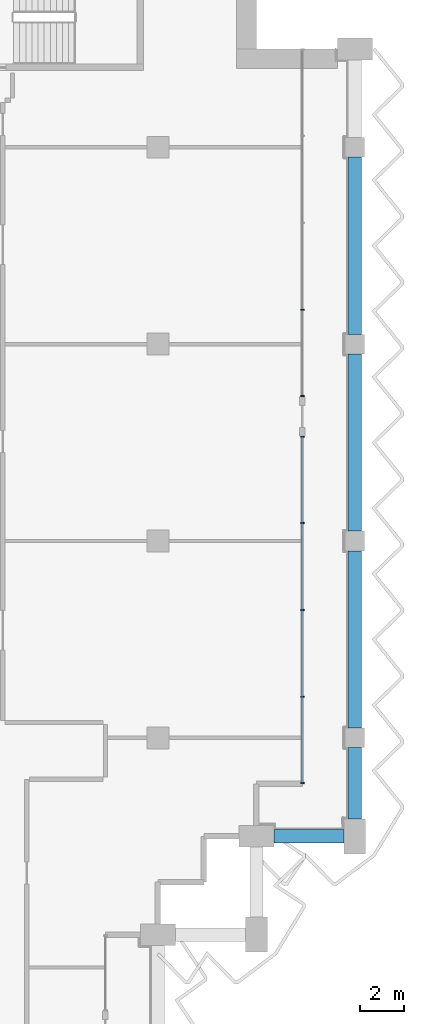
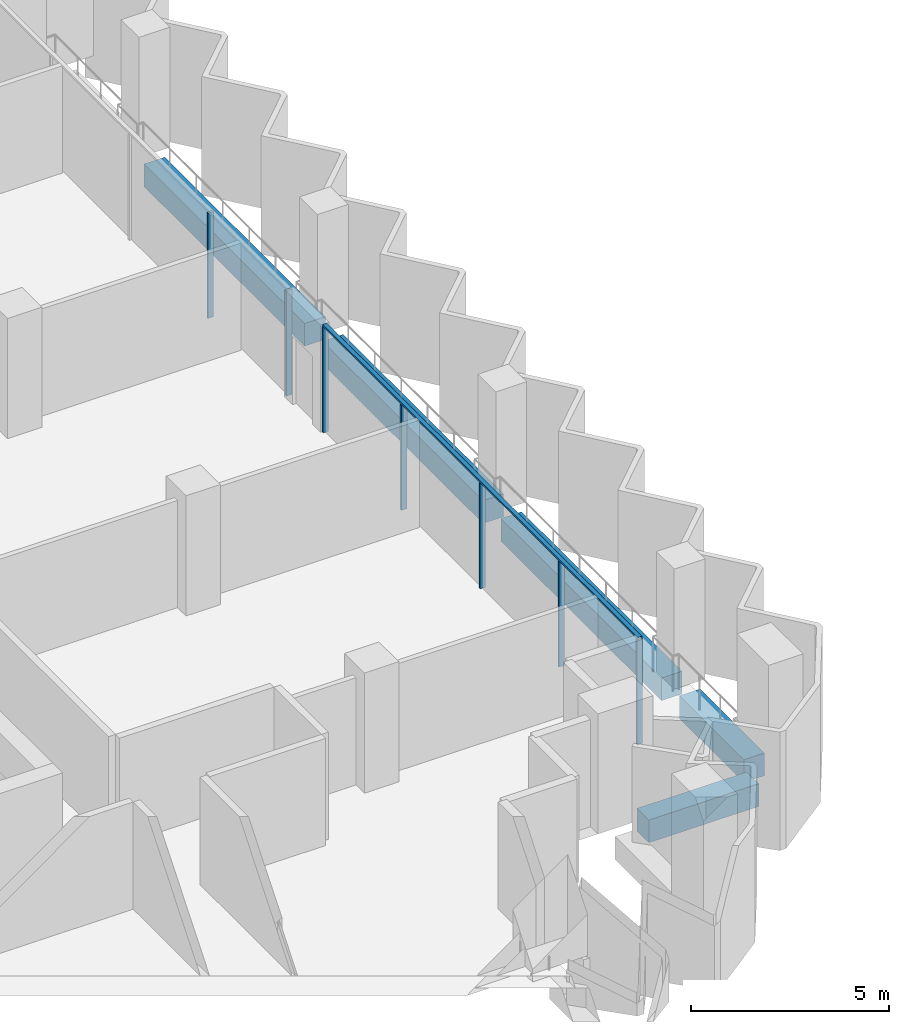
# One storey, part 4 of 16: 8 members, 5 beams, 2 elements without a shape of their own.
"""IFC4 building model written with IfcOpenShell, lengths in metres."""

from ifc_helpers import new_model, si_unit, direction, frame, origin, origin_2d, place, context, subcontext, project, spatial, rectangle, extrude, material, material_profile, profile_set, type_object, element, aggregate, save


model = new_model("IFC4")

# Units and contexts
model_context = context("Model", 3, precision=1e-05, world=origin(), true_north=direction((0.0, 1.0)))
body_context = subcontext(model_context, "Body", "Model", "MODEL_VIEW")
ifc_project = project(units=[si_unit("LENGTHUNIT", "METRE"), si_unit("AREAUNIT", "SQUARE_METRE"), si_unit("VOLUMEUNIT", "CUBIC_METRE"), si_unit("PLANEANGLEUNIT", "RADIAN"), si_unit("MASSUNIT", "GRAM", prefix="KILO")], contexts=[model_context])

# Site, building, storey
site_placement = place(None, origin())
site = spatial("IfcSite", under=ifc_project, at=site_placement, CompositionType="ELEMENT")
building_placement = place(site_placement, origin())
building = spatial("IfcBuilding", under=site, at=building_placement, Name="Hunhe Ridgeline Campus", CompositionType="ELEMENT")
storey_placement = place(building_placement, frame((0.0, 0.0, 235.5)))
storey = spatial("IfcBuildingStorey", under=building, at=storey_placement, Name="L60", CompositionType="ELEMENT", Elevation=235.5)

# Curtain wall, members
ifc_material_1 = material(Name="Aluminium 6063", Category="aluminium")
curtain_wall_type = type_object("IfcCurtainWallType", Name="Curtain wall CW-1", PredefinedType="NOTDEFINED", material=ifc_material_1)
curtain_wall_1_placement = place(storey_placement, origin())
curtain_wall_1 = element("IfcCurtainWall", 1, at=curtain_wall_1_placement, inside=storey, type_object=curtain_wall_type, Name="Curtain wall 13", PredefinedType="NOTDEFINED")
ifc_material_profile_1 = material_profile(ifc_material_1, rectangle(XDim=0.159912109375, YDim=0.06005859375, at=origin_2d()))
ifc_profile_set_1 = profile_set([ifc_material_profile_1], Name="Aluminium 6063")
member_type_1 = type_object("IfcMemberType", Name="CW-1 aluminium mullion", PredefinedType="MULLION", material=ifc_profile_set_1)
member_1_placement = place(storey_placement, frame((51.59912109375, 60.930908203125, 0.0), z_axis=(0.0, 0.0, 1.0), x_axis=(-1.0, 0.0, 0.0)))
member_1 = element("IfcMember", 2, at=member_1_placement, type_object=member_type_1, Name="CW-1 mullion 1", PredefinedType="MULLION", context=body_context, shape_type="SweptSolid", body=[
    extrude(rectangle(XDim=0.159912109375, YDim=0.06005859375, at=origin_2d()), origin(), (0.0, 0.0, 1.0), 3.239990234375),
])
member_2_placement = place(storey_placement, frame((51.59912109375, 64.8759765625, 0.0), z_axis=(0.0, 0.0, 1.0), x_axis=(-1.0, 0.0, 0.0)))
member_2 = element("IfcMember", 3, at=member_2_placement, type_object=member_type_1, Name="CW-1 mullion 2", PredefinedType="MULLION", context=body_context, shape_type="SweptSolid", body=[
    extrude(rectangle(XDim=0.159912109375, YDim=0.06005859375, at=origin_2d()), origin(), (0.0, 0.0, 1.0), 3.239990234375),
])
member_3_placement = place(storey_placement, frame((51.59912109375, 68.850830078125, 0.0), z_axis=(0.0, 0.0, 1.0), x_axis=(-1.0, 0.0, 0.0)))
member_3 = element("IfcMember", 4, at=member_3_placement, type_object=member_type_1, Name="CW-1 mullion 3", PredefinedType="MULLION", context=body_context, shape_type="SweptSolid", body=[
    extrude(rectangle(XDim=0.159912109375, YDim=0.06005859375, at=origin_2d()), origin(), (0.0, 0.0, 1.0), 3.239990234375),
])
member_4_placement = place(storey_placement, frame((51.59912109375, 72.82568359375, 0.0), z_axis=(0.0, 0.0, 1.0), x_axis=(-1.0, 0.0, 0.0)))
member_4 = element("IfcMember", 5, at=member_4_placement, type_object=member_type_1, Name="CW-1 mullion 4", PredefinedType="MULLION", context=body_context, shape_type="SweptSolid", body=[
    extrude(rectangle(XDim=0.159912109375, YDim=0.06005859375, at=origin_2d()), origin(), (0.0, 0.0, 1.0), 3.239990234375),
])
member_5_placement = place(storey_placement, frame((51.59912109375, 76.7705078125, 0.0), z_axis=(0.0, 0.0, 1.0), x_axis=(-1.0, 0.0, 0.0)))
member_5 = element("IfcMember", 6, at=member_5_placement, type_object=member_type_1, Name="CW-1 mullion 5", PredefinedType="MULLION", context=body_context, shape_type="SweptSolid", body=[
    extrude(rectangle(XDim=0.159912109375, YDim=0.06005859375, at=origin_2d()), origin(), (0.0, 0.0, 1.0), 3.239990234375),
])

curtain_wall_2_placement = place(storey_placement, origin())
curtain_wall_2 = element("IfcCurtainWall", 7, at=curtain_wall_2_placement, inside=storey, type_object=curtain_wall_type, Name="Curtain wall 14", PredefinedType="NOTDEFINED")
member_6_placement = place(storey_placement, frame((51.59912109375, 78.630615234375, 0.0), z_axis=(0.0, 0.0, 1.0), x_axis=(-1.0, 0.0, 0.0)))
member_6 = element("IfcMember", 8, at=member_6_placement, type_object=member_type_1, Name="CW-1 mullion 1", PredefinedType="MULLION", context=body_context, shape_type="SweptSolid", body=[
    extrude(rectangle(XDim=0.159912109375, YDim=0.06005859375, at=origin_2d()), origin(), (0.0, 0.0, 1.0), 3.239990234375),
])
member_7_placement = place(storey_placement, frame((51.59912109375, 82.575439453125, 0.0), z_axis=(0.0, 0.0, 1.0), x_axis=(-1.0, 0.0, 0.0)))
member_7 = element("IfcMember", 9, at=member_7_placement, type_object=member_type_1, Name="CW-1 mullion 2", PredefinedType="MULLION", context=body_context, shape_type="SweptSolid", body=[
    extrude(rectangle(XDim=0.159912109375, YDim=0.06005859375, at=origin_2d()), origin(), (0.0, 0.0, 1.0), 3.239990234375),
])
aggregate(curtain_wall_2, [member_6, member_7])

# Member
ifc_material_profile_2 = material_profile(ifc_material_1, rectangle(XDim=0.1201171875, YDim=0.06005859375, at=origin_2d()))
ifc_profile_set_2 = profile_set([ifc_material_profile_2], Name="Aluminium 6063")
member_type_2 = type_object("IfcMemberType", Name="CW-1 aluminium transom", PredefinedType="USERDEFINED", material=ifc_profile_set_2)
member_8_placement = place(storey_placement, frame((51.59912109375, 60.90087890625, 3.27001953125), z_axis=(0.0, 1.0, 0.0), x_axis=(-1.0, 0.0, 0.0)))
member_8 = element("IfcMember", 10, at=member_8_placement, type_object=member_type_2, Name="CW-1 transom 1", ObjectType="TRANSOM", PredefinedType="USERDEFINED", context=body_context, shape_type="SweptSolid", body=[
    extrude(rectangle(XDim=0.1201171875, YDim=0.06005859375, at=origin_2d()), origin(), (0.0, 0.0, 1.0), 15.899658203125),
])

aggregate(curtain_wall_1, [member_8, member_1, member_2, member_3, member_4, member_5])

# Beams
ifc_material_2 = material(Name="Concrete C50", Category="concrete")
ifc_material_profile_3 = material_profile(ifc_material_2, rectangle(XDim=0.60009765625, YDim=0.699951171875, at=origin_2d()))
ifc_profile_set_3 = profile_set([ifc_material_profile_3], Name="Concrete C50")
beam_type = type_object("IfcBeamType", Name="RC spandrel beam 600x700 Concrete C50", PredefinedType="SPANDREL", material=ifc_profile_set_3)
beam_1_placement = place(storey_placement, frame((50.300048828125, 58.5, -0.60009765625), z_axis=(1.0, 0.0, 0.0), x_axis=(0.0, 1.0, 0.0)))
element("IfcBeam", 11, at=beam_1_placement, inside=storey, type_object=beam_type, Name="Spandrel beam B4-12 L60", PredefinedType="SPANDREL", context=body_context, shape_type="SweptSolid", body=[
    extrude(rectangle(XDim=0.60009765625, YDim=0.699951171875, at=origin_2d()), origin(), (0.0, 0.0, 1.0), 3.199951171875),
])
beam_2_placement = place(storey_placement, frame((54.0, 59.300048828125, -0.60009765625), z_axis=(0.0, 1.0, 0.0), x_axis=(-1.0, 0.0, 0.0)))
element("IfcBeam", 12, at=beam_2_placement, inside=storey, type_object=beam_type, Name="Spandrel beam B4-13 L60", PredefinedType="SPANDREL", context=body_context, shape_type="SweptSolid", body=[
    extrude(rectangle(XDim=0.60009765625, YDim=0.699951171875, at=origin_2d()), origin(), (0.0, 0.0, 1.0), 3.25),
])
for number, where, z_axis, x_axis, name in (
    (13, (54.0, 63.449951171875, -0.60009765625), (0.0, 1.0, 0.0), (-1.0, 0.0, 0.0), "Spandrel beam B4-14 L60"),
    (14, (54.0, 72.449951171875, -0.60009765625), (0.0, 1.0, 0.0), (-1.0, 0.0, 0.0), "Spandrel beam B4-15 L60"),
    (15, (54.0, 81.449951171875, -0.60009765625), (0.0, 1.0, 0.0), (-1.0, 0.0, 0.0), "Spandrel beam B4-16 L60"),
):
    element("IfcBeam", number, at=place(storey_placement, frame(where, z_axis=z_axis, x_axis=x_axis)), inside=storey, type_object=beam_type, Name=name, PredefinedType="SPANDREL", context=body_context, shape_type="SweptSolid", body=[
        extrude(rectangle(XDim=0.60009765625, YDim=0.699951171875, at=origin_2d()), origin(), (0.0, 0.0, 1.0), 8.10009765625),
    ])

save(model, "model.ifc")
